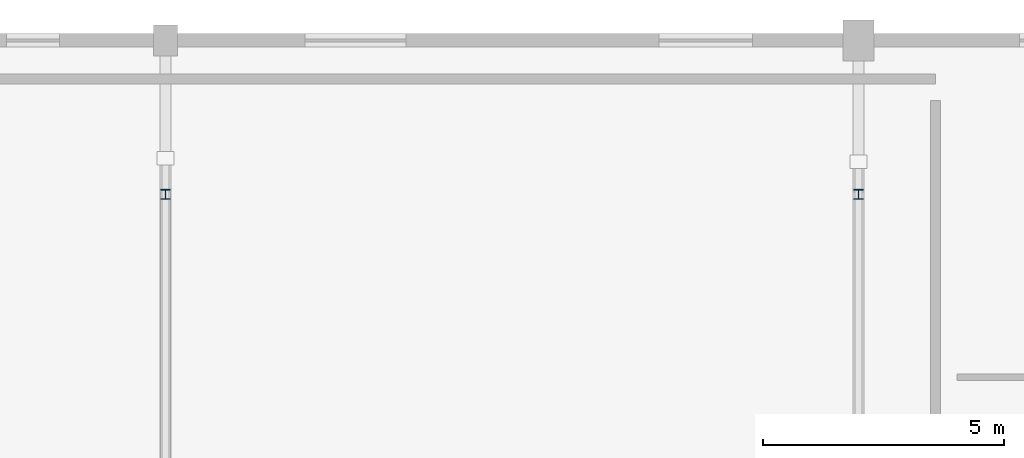
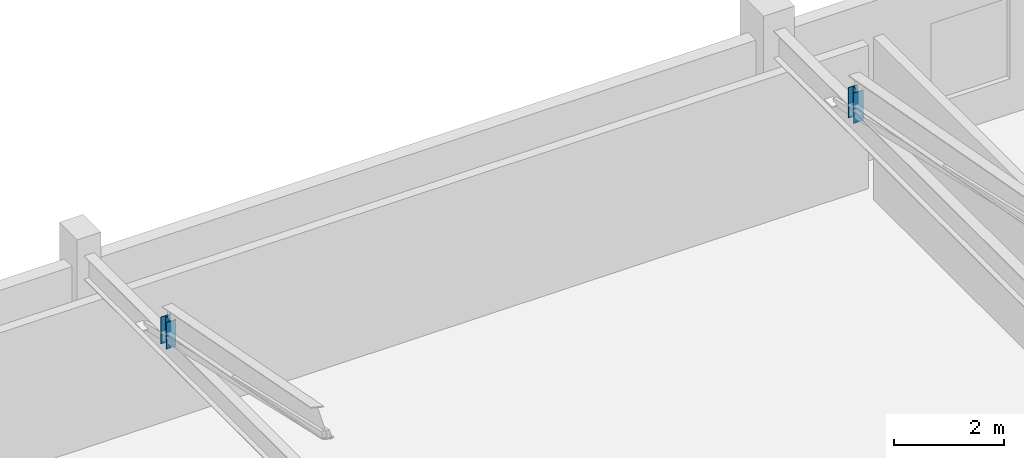
# One storey, part 49 of 92: 2 members.
"""IFC4 building model written with IfcOpenShell, lengths in metres."""

from ifc_helpers import new_model, si_unit, direction, frame, origin, origin_2d, place, context, subcontext, project, spatial, i_section, extrude, material, material_profile, profile_set, type_object, element, save


model = new_model("IFC4")

# Units and contexts
model_context = context("Model", 3, precision=1e-05, world=origin(), true_north=direction((0.0, 1.0)))
body_context = subcontext(model_context, "Body", "Model", "MODEL_VIEW")
ifc_project = project(units=[si_unit("LENGTHUNIT", "METRE"), si_unit("AREAUNIT", "SQUARE_METRE"), si_unit("VOLUMEUNIT", "CUBIC_METRE"), si_unit("PLANEANGLEUNIT", "RADIAN"), si_unit("MASSUNIT", "GRAM", prefix="KILO")], contexts=[model_context])

# Site, building, storey
site_placement = place(None, origin())
site = spatial("IfcSite", under=ifc_project, at=site_placement, CompositionType="ELEMENT")
building_placement = place(site_placement, origin())
building = spatial("IfcBuilding", under=site, at=building_placement, Name="Solanera Park Tramway Depot", CompositionType="ELEMENT")
storey_placement = place(building_placement, frame((0.0, 0.0, 4.800048828125)))
storey = spatial("IfcBuildingStorey", under=building, at=storey_placement, Name="L01", CompositionType="ELEMENT", Elevation=4.800048828125)

# Members
ifc_material = material(Name="Steel AS/NZS 3679.1 Grade 350", Category="steel")
ifc_material_profile = material_profile(ifc_material, i_section(OverallWidth=0.205078125, OverallDepth=0.209716796875, WebThickness=0.00927734375, FlangeThickness=0.01416015625, at=origin_2d()), Name="200UC59.5")
ifc_profile_set = profile_set([ifc_material_profile], Name="Steel AS/NZS 3679.1 Grade 350")
member_type = type_object("IfcMemberType", Name="Roof Gantry Compression Strut 200UC59.5", PredefinedType="STRUT", material=ifc_profile_set)
member_1_placement = place(storey_placement, frame((180.0, 140.800048828125, 3.533447265625), z_axis=(0.0, 0.0, 1.0), x_axis=(1.0, 0.0, 0.0)))
element("IfcMember", 1, at=member_1_placement, inside=storey, type_object=member_type, Name="Hip ROOF TRUSS Heel Post #0117", PredefinedType="STRUT", context=body_context, shape_type="SweptSolid", body=[
    extrude(i_section(OverallWidth=0.205078125, OverallDepth=0.209716796875, WebThickness=0.00927734375, FlangeThickness=0.01416015625, at=origin_2d()), origin(), (0.0, 0.0, 1.0), 0.593017578125),
])
member_2_placement = place(storey_placement, frame((194.39990234375, 140.800048828125, 3.494140625), z_axis=(0.0, 0.0, 1.0), x_axis=(1.0, 0.0, 0.0)))
element("IfcMember", 2, at=member_2_placement, inside=storey, type_object=member_type, Name="Hip ROOF TRUSS Heel Post #0120", PredefinedType="STRUT", context=body_context, shape_type="SweptSolid", body=[
    extrude(i_section(OverallWidth=0.205078125, OverallDepth=0.209716796875, WebThickness=0.00927734375, FlangeThickness=0.01416015625, at=origin_2d()), origin(), (0.0, 0.0, 1.0), 0.671630859375),
])

save(model, "model.ifc")
